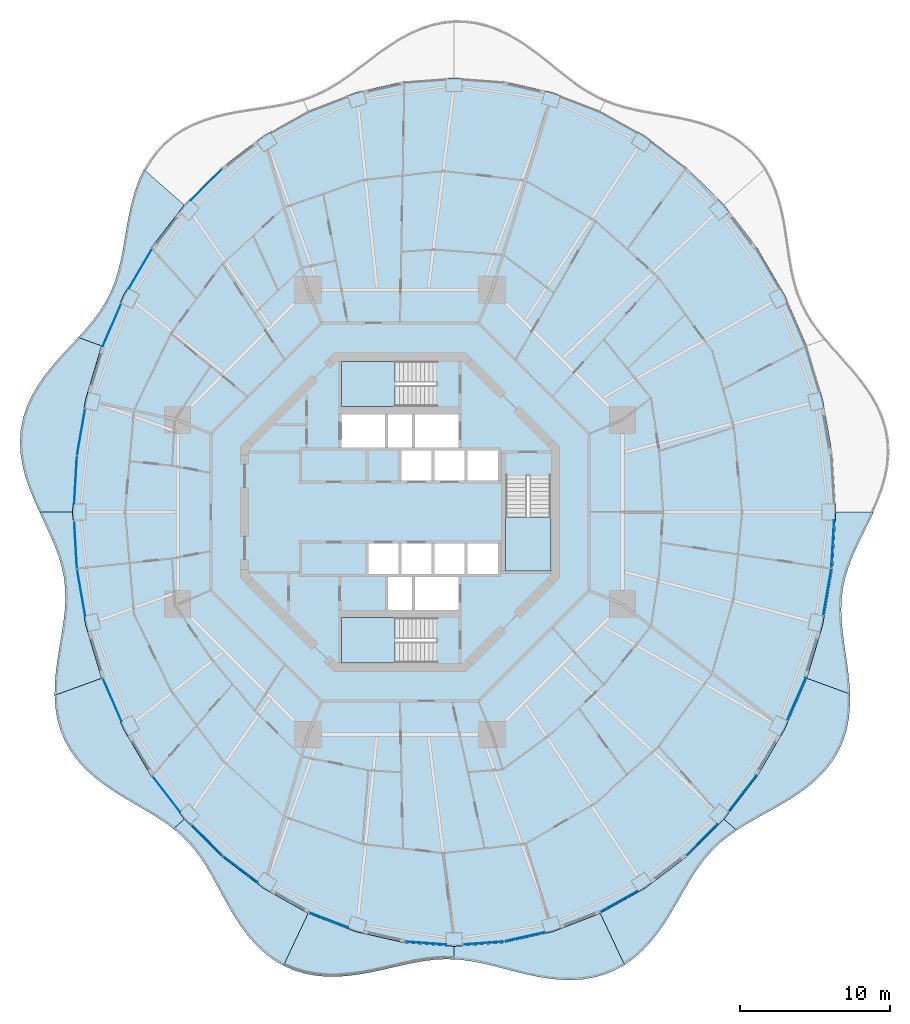
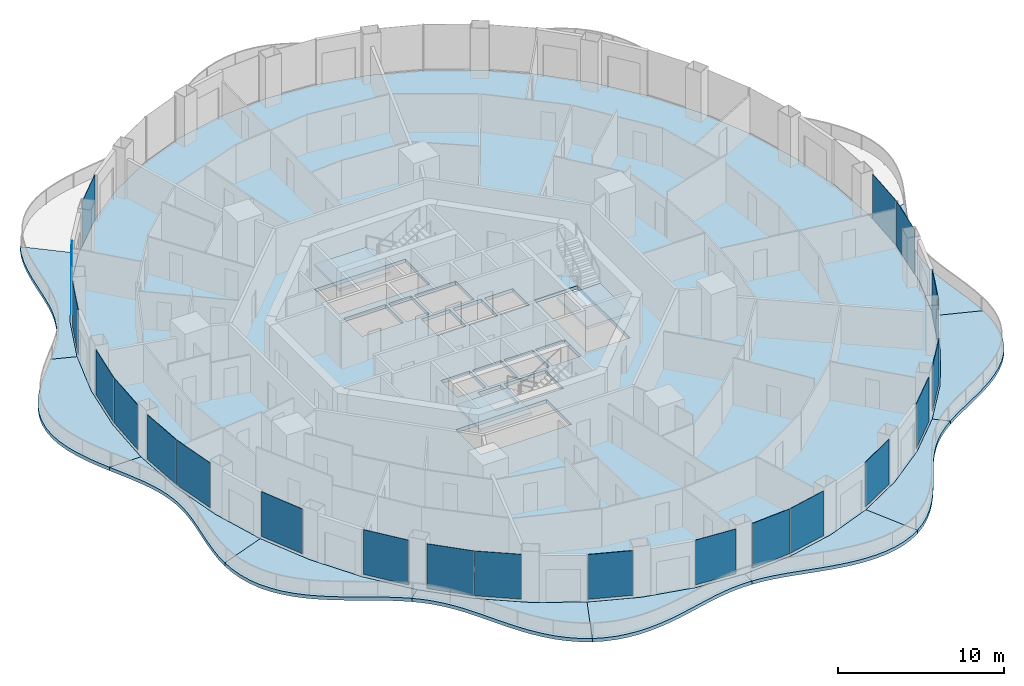
# One storey, part 9 of 19: 21 plates, 14 slabs, 24 elements without a shape of their own.
"""IFC4 building model written with IfcOpenShell, lengths in metres."""

from ifc_helpers import new_model, si_unit, direction, frame, origin, origin_2d, place, context, subcontext, project, spatial, polyline, rectangle, outline, extrude, material, layer, layer_set, type_object, element, aggregate, save


model = new_model("IFC4")

# Units and contexts
model_context = context("Model", 3, precision=1e-05, world=origin(), true_north=direction((0.0, 1.0)))
body_context = subcontext(model_context, "Body", "Model", "MODEL_VIEW")
ifc_project = project(units=[si_unit("LENGTHUNIT", "METRE"), si_unit("AREAUNIT", "SQUARE_METRE"), si_unit("VOLUMEUNIT", "CUBIC_METRE"), si_unit("PLANEANGLEUNIT", "RADIAN"), si_unit("MASSUNIT", "GRAM", prefix="KILO")], contexts=[model_context])

# Site, building, storey
site_placement = place(None, origin())
site = spatial("IfcSite", under=ifc_project, at=site_placement, CompositionType="ELEMENT")
building_placement = place(site_placement, origin())
building = spatial("IfcBuilding", under=site, at=building_placement, Name="Nagisa Residences", CompositionType="ELEMENT")
storey_placement = place(building_placement, frame((0.0, 0.0, 188.10009765625)))
storey = spatial("IfcBuildingStorey", under=building, at=storey_placement, Name="L47", CompositionType="ELEMENT", Elevation=188.10009765625)

# Slabs
ifc_material_1 = material(Name="Concrete C40/50", Category="concrete")
ifc_layer_1 = layer(ifc_material_1, 0.25)
ifc_layer_set_1 = layer_set([ifc_layer_1], Name="BALCONY SLAB 250")
slab_type_1 = type_object("IfcSlabType", Name="BALCONY SLAB 250", PredefinedType="FLOOR", material=ifc_layer_set_1)
slab_1_placement = place(storey_placement, frame((0.0, 0.0, -0.25)))
element("IfcSlab", 1, at=slab_1_placement, inside=storey, type_object=slab_type_1, Name="slab:L47:bal06", PredefinedType="FLOOR", context=body_context, shape_type="SweptSolid", body=[
    extrude(outline(polyline([(-17.037841796875, 22.7861328125), (-17.369873046875, 22.057861328125), (-17.639404296875, 21.294189453125), (-17.85546875, 20.50732421875), (-18.02978515625, 19.708984375), (-18.17578125, 18.9111328125), (-18.308349609375, 18.12353515625), (-18.442626953125, 17.355224609375), (-18.59326171875, 16.6123046875), (-18.7734375, 15.899169921875), (-18.994384765625, 15.21728515625), (-19.26416015625, 14.56591796875), (-19.587890625, 13.942138671875), (-19.96630859375, 13.341552734375), (-20.3974609375, 12.7578125), (-20.874267578125, 12.183837890625), (-21.387451171875, 11.612060546875), (-19.843505859375, 11.050048828125), (-18.37548828125, 14.4375), (-16.53125, 17.577880859375), (-14.3427734375, 20.417724609375), (-17.037841796875, 22.7861328125)])), origin(), (0.0, 0.0, 1.0), 0.25),
])
slab_2_placement = place(storey_placement, frame((0.0, 0.0, -0.25)))
element("IfcSlab", 2, at=slab_2_placement, inside=storey, type_object=slab_type_1, Name="slab:L47:bal07", PredefinedType="FLOOR", context=body_context, shape_type="SweptSolid", body=[
    extrude(outline(polyline([(-21.387451171875, 11.612060546875), (-21.941650390625, 11.016845703125), (-22.50390625, 10.40869140625), (-23.056640625, 9.78173828125), (-23.5810546875, 9.131103515625), (-24.05859375, 8.453857421875), (-24.47265625, 7.74951171875), (-24.80908203125, 7.01904296875), (-25.05712890625, 6.264892578125), (-25.2099609375, 5.491455078125), (-25.265380859375, 4.704345703125), (-25.225830078125, 3.908935546875), (-25.097900390625, 3.111572265625), (-24.892333984375, 2.31787109375), (-24.6240234375, 1.532470703125), (-24.3095703125, 0.759033203125), (-23.96826171875, 0.0), (-21.77490234375, 0.0), (-21.557861328125, 3.76904296875), (-20.910400390625, 7.473388671875), (-19.843505859375, 11.050048828125), (-21.387451171875, 11.612060546875)])), origin(), (0.0, 0.0, 1.0), 0.25),
])
slab_3_placement = place(storey_placement, frame((0.0, 0.0, -0.25)))
element("IfcSlab", 3, at=slab_3_placement, inside=storey, type_object=slab_type_1, Name="slab:L47:bal08", PredefinedType="FLOOR", context=body_context, shape_type="SweptSolid", body=[
    extrude(outline(polyline([(-23.96826171875, 0.0), (-23.619140625, -0.744384765625), (-23.281494140625, -1.474853515625), (-22.97265625, -2.194091796875), (-22.70751953125, -2.90576171875), (-22.4970703125, -3.61474609375), (-22.34912109375, -4.325927734375), (-22.266357421875, -5.044677734375), (-22.2470703125, -5.77587890625), (-22.284912109375, -6.52294921875), (-22.369873046875, -7.288330078125), (-22.48779296875, -8.0732421875), (-22.62255859375, -8.876220703125), (-22.755615234375, -9.6943359375), (-22.8681640625, -10.52294921875), (-22.94189453125, -11.35546875), (-22.959716796875, -12.184326171875), (-19.843505859375, -11.050048828125), (-20.910400390625, -7.473388671875), (-21.557861328125, -3.76904296875), (-21.77490234375, 0.0), (-23.96826171875, 0.0)])), origin(), (0.0, 0.0, 1.0), 0.25),
])
slab_4_placement = place(storey_placement, frame((0.0, 0.0, -0.25)))
element("IfcSlab", 4, at=slab_4_placement, inside=storey, type_object=slab_type_1, Name="slab:L47:bal09", PredefinedType="FLOOR", context=body_context, shape_type="SweptSolid", body=[
    extrude(outline(polyline([(-22.959716796875, -12.184326171875), (-22.91064453125, -12.975830078125), (-22.785400390625, -13.748046875), (-22.5771484375, -14.492919921875), (-22.283447265625, -15.20361328125), (-21.90478515625, -15.874755859375), (-21.445556640625, -16.50244140625), (-20.914306640625, -17.0849609375), (-20.321533203125, -17.62255859375), (-19.680908203125, -18.1181640625), (-19.0068359375, -18.576904296875), (-18.314697265625, -19.006103515625), (-17.6201171875, -19.414794921875), (-16.93701171875, -19.81298828125), (-16.277587890625, -20.211669921875), (-15.65185546875, -20.621826171875), (-15.06640625, -21.053466796875), (-14.3427734375, -20.417724609375), (-16.53125, -17.577880859375), (-18.37548828125, -14.4375), (-19.843505859375, -11.050048828125), (-22.959716796875, -12.184326171875)])), origin(), (0.0, 0.0, 1.0), 0.25),
])
slab_5_placement = place(storey_placement, frame((0.0, 0.0, -0.25)))
element("IfcSlab", 5, at=slab_5_placement, inside=storey, type_object=slab_type_1, Name="slab:L47:bal10", PredefinedType="FLOOR", context=body_context, shape_type="SweptSolid", body=[
    extrude(outline(polyline([(-15.06640625, -21.053466796875), (-14.549072265625, -21.4931640625), (-14.072265625, -21.966552734375), (-13.633056640625, -22.4775390625), (-13.226318359375, -23.027587890625), (-12.84521484375, -23.615966796875), (-12.48095703125, -24.238525390625), (-12.123291015625, -24.88916015625), (-11.761962890625, -25.559326171875), (-11.386474609375, -26.238037109375), (-10.987060546875, -26.9130859375), (-10.555419921875, -27.571044921875), (-10.084716796875, -28.1982421875), (-9.5703125, -28.78173828125), (-9.00927734375, -29.30908203125), (-8.40185546875, -29.76953125), (-7.75, -30.155029296875), (-6.110595703125, -26.677001953125), (-9.08740234375, -25.006591796875), (-11.847412109375, -22.907958984375), (-14.3427734375, -20.417724609375), (-15.06640625, -21.053466796875)])), origin(), (0.0, 0.0, 1.0), 0.25),
])
slab_6_placement = place(storey_placement, frame((0.0, 0.0, -0.25)))
element("IfcSlab", 6, at=slab_6_placement, inside=storey, type_object=slab_type_1, Name="slab:L47:bal11", PredefinedType="FLOOR", context=body_context, shape_type="SweptSolid", body=[
    extrude(outline(polyline([(-7.75, -30.155029296875), (-7.08349609375, -30.45068359375), (-6.384521484375, -30.669189453125), (-5.65966796875, -30.811279296875), (-4.916015625, -30.880615234375), (-4.16064453125, -30.88330078125), (-3.40087890625, -30.828125), (-2.6435546875, -30.725341796875), (-1.894287109375, -30.587890625), (-1.1572265625, -30.428955078125), (-0.435546875, -30.26171875), (0.26953125, -30.099853515625), (0.9580078125, -29.95556640625), (1.632080078125, -29.839599609375), (2.294189453125, -29.76025390625), (2.948486328125, -29.723876953125), (3.60009765625, -29.733154296875), (3.60009765625, -28.875), (0.287841796875, -28.6279296875), (-2.967529296875, -27.89111328125), (-6.110595703125, -26.677001953125), (-7.75, -30.155029296875)])), origin(), (0.0, 0.0, 1.0), 0.25),
])
slab_7_placement = place(storey_placement, frame((0.0, 0.0, -0.25)))
element("IfcSlab", 7, at=slab_7_placement, inside=storey, type_object=slab_type_1, Name="slab:L47:bal12", PredefinedType="FLOOR", context=body_context, shape_type="SweptSolid", body=[
    extrude(outline(polyline([(3.60009765625, -29.733154296875), (4.253173828125, -29.78857421875), (4.9130859375, -29.88671875), (5.58349609375, -30.02197265625), (6.267822265625, -30.185791015625), (6.96826171875, -30.36767578125), (7.685302734375, -30.554931640625), (8.41796875, -30.734375), (9.16357421875, -30.892333984375), (9.918212890625, -31.015625), (10.67626953125, -31.09130859375), (11.431884765625, -31.10888671875), (12.177734375, -31.05908203125), (12.906494140625, -30.93603515625), (13.611572265625, -30.735595703125), (14.2861328125, -30.45703125), (14.92529296875, -30.102783203125), (13.310546875, -26.677001953125), (10.16748046875, -27.89111328125), (6.912109375, -28.6279296875), (3.60009765625, -28.875), (3.60009765625, -29.733154296875)])), origin(), (0.0, 0.0, 1.0), 0.25),
])
slab_8_placement = place(storey_placement, frame((0.0, 0.0, -0.25)))
element("IfcSlab", 8, at=slab_8_placement, inside=storey, type_object=slab_type_1, Name="slab:L47:bal13", PredefinedType="FLOOR", context=body_context, shape_type="SweptSolid", body=[
    extrude(outline(polyline([(14.92529296875, -30.102783203125), (15.546630859375, -29.660400390625), (16.123291015625, -29.1494140625), (16.654541015625, -28.58056640625), (17.14306640625, -27.96630859375), (17.593017578125, -27.320068359375), (18.010498046875, -26.655517578125), (18.40380859375, -25.986083984375), (18.782470703125, -25.324462890625), (19.15625, -24.681884765625), (19.53564453125, -24.067138671875), (19.930419921875, -23.487060546875), (20.349365234375, -22.945556640625), (20.7998046875, -22.44384765625), (21.28662109375, -21.98046875), (21.812744140625, -21.552001953125), (22.37841796875, -21.15185546875), (21.542724609375, -20.417724609375), (19.04736328125, -22.907958984375), (16.28759765625, -25.006591796875), (13.310546875, -26.677001953125), (14.92529296875, -30.102783203125)])), origin(), (0.0, 0.0, 1.0), 0.25),
])
slab_9_placement = place(storey_placement, frame((0.0, 0.0, -0.25)))
element("IfcSlab", 9, at=slab_9_placement, inside=storey, type_object=slab_type_1, Name="slab:L47:bal14", PredefinedType="FLOOR", context=body_context, shape_type="SweptSolid", body=[
    extrude(outline(polyline([(22.37841796875, -21.15185546875), (23.0107421875, -20.754638671875), (23.677001953125, -20.3701171875), (24.36767578125, -19.9873046875), (25.071044921875, -19.59521484375), (25.773193359375, -19.1826171875), (26.459228515625, -18.74072265625), (27.114013671875, -18.26171875), (27.722412109375, -17.73974609375), (28.271240234375, -17.171875), (28.749267578125, -16.556884765625), (29.1484375, -15.896484375), (29.463623046875, -15.1943359375), (29.693359375, -14.455810546875), (29.840576171875, -13.68798828125), (29.91162109375, -12.8984375), (29.915771484375, -12.095458984375), (27.04345703125, -11.050048828125), (25.575439453125, -14.4375), (23.7314453125, -17.577880859375), (21.542724609375, -20.417724609375), (22.37841796875, -21.15185546875)])), origin(), (0.0, 0.0, 1.0), 0.25),
])
slab_10_placement = place(storey_placement, frame((0.0, 0.0, -0.25)))
element("IfcSlab", 10, at=slab_10_placement, inside=storey, type_object=slab_type_1, Name="slab:L47:bal15", PredefinedType="FLOOR", context=body_context, shape_type="SweptSolid", body=[
    extrude(outline(polyline([(29.915771484375, -12.095458984375), (29.864013671875, -11.261474609375), (29.771240234375, -10.429931640625), (29.656005859375, -9.607666015625), (29.53662109375, -8.80029296875), (29.431640625, -8.010986328125), (29.35791015625, -7.241943359375), (29.3291015625, -6.4921875), (29.3564453125, -5.760009765625), (29.446533203125, -5.041748046875), (29.6015625, -4.332763671875), (29.8193359375, -3.6279296875), (30.093017578125, -2.921875), (30.411865234375, -2.20947265625), (30.76123046875, -1.48681640625), (31.124267578125, -0.7509765625), (31.481689453125, 0.0), (28.97509765625, 0.0), (28.7578125, -3.76904296875), (28.1103515625, -7.473388671875), (27.04345703125, -11.050048828125), (29.915771484375, -12.095458984375)])), origin(), (0.0, 0.0, 1.0), 0.25),
])

# Curtain wall, plate
ifc_material_2 = material(Name="Concrete-coloured aluminium curtain wall system", Category="concrete")
ifc_layer_2 = layer(ifc_material_2, 0.159912109375)
ifc_layer_set_2 = layer_set([ifc_layer_2], Name="CW1 CURTAIN WALL")
curtain_wall_type = type_object("IfcCurtainWallType", Name="CW1 CURTAIN WALL", PredefinedType="NOTDEFINED", material=ifc_layer_set_2)
curtain_wall_1_placement = place(storey_placement, origin())
curtain_wall_1 = element("IfcCurtainWall", 11, at=curtain_wall_1_placement, inside=storey, type_object=curtain_wall_type, Name="cw:CW1:L47:17", PredefinedType="NOTDEFINED")
ifc_material_3 = material(Name="Clear laminated glass", Category="glass")
ifc_layer_3 = layer(ifc_material_3, 0.028076171875)
ifc_layer_set_3 = layer_set([ifc_layer_3], Name="CW1 GLASS PANEL")
plate_type = type_object("IfcPlateType", Name="CW1 GLASS PANEL", PredefinedType="CURTAIN_PANEL", material=ifc_layer_set_3)
plate_1_placement = place(storey_placement, frame((-12.865234375, 21.779296875, 0.14990234375), z_axis=(0.0, 0.0, 1.0), x_axis=(-0.707835924016, -0.706376885714, 0.0)))
plate_1 = element("IfcPlate", 12, at=plate_1_placement, type_object=plate_type, Name="CW1 panel", PredefinedType="CURTAIN_PANEL", context=body_context, shape_type="SweptSolid", body=[
    extrude(rectangle(XDim=2.91552734375, YDim=0.028076171875, at=origin_2d()), origin(), (0.0, 0.0, 1.0), 3.2900390625),
])
aggregate(curtain_wall_1, [plate_1])

curtain_wall_2_placement = place(storey_placement, origin())
curtain_wall_2 = element("IfcCurtainWall", 13, at=curtain_wall_2_placement, inside=storey, type_object=curtain_wall_type, Name="cw:CW1:L47:19", PredefinedType="NOTDEFINED")
plate_2_placement = place(storey_placement, frame((-17.26025390625, 16.178466796875, 0.14990234375), z_axis=(0.0, 0.0, 1.0), x_axis=(-0.506348567002, -0.862328898214, 0.0)))
plate_2 = element("IfcPlate", 14, at=plate_2_placement, type_object=plate_type, Name="CW1 panel", PredefinedType="CURTAIN_PANEL", context=body_context, shape_type="SweptSolid", body=[
    extrude(rectangle(XDim=3.031982421875, YDim=0.028076171875, at=origin_2d()), origin(), (0.0, 0.0, 1.0), 3.2900390625),
])
aggregate(curtain_wall_2, [plate_2])

curtain_wall_3_placement = place(storey_placement, origin())
curtain_wall_3 = element("IfcCurtainWall", 15, at=curtain_wall_3_placement, inside=storey, type_object=curtain_wall_type, Name="cw:CW1:L47:20", PredefinedType="NOTDEFINED")
plate_3_placement = place(storey_placement, frame((-19.1572265625, 12.43212890625, 0.14990234375), z_axis=(0.0, 0.0, 1.0), x_axis=(-0.397635934147, -0.917543276295, 0.0)))
plate_3 = element("IfcPlate", 16, at=plate_3_placement, type_object=plate_type, Name="CW1 panel", PredefinedType="CURTAIN_PANEL", context=body_context, shape_type="SweptSolid", body=[
    extrude(rectangle(XDim=3.08203125, YDim=0.028076171875, at=origin_2d()), origin(), (0.0, 0.0, 1.0), 3.2900390625),
])
aggregate(curtain_wall_3, [plate_3])

curtain_wall_4_placement = place(storey_placement, origin())
curtain_wall_4 = element("IfcCurtainWall", 17, at=curtain_wall_4_placement, inside=storey, type_object=curtain_wall_type, Name="cw:CW1:L47:22", PredefinedType="NOTDEFINED")
plate_4_placement = place(storey_placement, frame((-21.207763671875, 5.306884765625, 0.14990234375), z_axis=(0.0, 0.0, 1.0), x_axis=(-0.172190868898, -0.985063604377, 0.0)))
plate_4 = element("IfcPlate", 18, at=plate_4_placement, type_object=plate_type, Name="CW1 panel", PredefinedType="CURTAIN_PANEL", context=body_context, shape_type="SweptSolid", body=[
    extrude(rectangle(XDim=3.150634765625, YDim=0.028076171875, at=origin_2d()), origin(), (0.0, 0.0, 1.0), 3.2900390625),
])
aggregate(curtain_wall_4, [plate_4])

curtain_wall_5_placement = place(storey_placement, origin())
curtain_wall_5 = element("IfcCurtainWall", 19, at=curtain_wall_5_placement, inside=storey, type_object=curtain_wall_type, Name="cw:CW1:L47:23", PredefinedType="NOTDEFINED")
plate_5_placement = place(storey_placement, frame((-21.572509765625, 2.12451171875, 0.14990234375), z_axis=(0.0, 0.0, 1.0), x_axis=(-0.057503492216, -0.998345305184, 0.0)))
plate_5 = element("IfcPlate", 20, at=plate_5_placement, type_object=plate_type, Name="CW1 panel", PredefinedType="CURTAIN_PANEL", context=body_context, shape_type="SweptSolid", body=[
    extrude(rectangle(XDim=3.165283203125, YDim=0.028076171875, at=origin_2d()), origin(), (0.0, 0.0, 1.0), 3.2900390625),
])
aggregate(curtain_wall_5, [plate_5])

curtain_wall_6_placement = place(storey_placement, origin())
curtain_wall_6 = element("IfcCurtainWall", 21, at=curtain_wall_6_placement, inside=storey, type_object=curtain_wall_type, Name="cw:CW1:L47:24", PredefinedType="NOTDEFINED")
plate_6_placement = place(storey_placement, frame((-21.569091796875, -2.184326171875, 0.14990234375), z_axis=(0.0, 0.0, 1.0), x_axis=(0.057503492216, -0.998345305184, 0.0)))
plate_6 = element("IfcPlate", 22, at=plate_6_placement, type_object=plate_type, Name="CW1 panel", PredefinedType="CURTAIN_PANEL", context=body_context, shape_type="SweptSolid", body=[
    extrude(rectangle(XDim=3.165283203125, YDim=0.028076171875, at=origin_2d()), origin(), (0.0, 0.0, 1.0), 3.2900390625),
])
aggregate(curtain_wall_6, [plate_6])

curtain_wall_7_placement = place(storey_placement, origin())
curtain_wall_7 = element("IfcCurtainWall", 23, at=curtain_wall_7_placement, inside=storey, type_object=curtain_wall_type, Name="cw:CW1:L47:25", PredefinedType="NOTDEFINED")
plate_7_placement = place(storey_placement, frame((-21.197509765625, -5.365966796875, 0.14990234375), z_axis=(0.0, 0.0, 1.0), x_axis=(0.172190868898, -0.985063604377, 0.0)))
plate_7 = element("IfcPlate", 24, at=plate_7_placement, type_object=plate_type, Name="CW1 panel", PredefinedType="CURTAIN_PANEL", context=body_context, shape_type="SweptSolid", body=[
    extrude(rectangle(XDim=3.150634765625, YDim=0.028076171875, at=origin_2d()), origin(), (0.0, 0.0, 1.0), 3.2900390625),
])
aggregate(curtain_wall_7, [plate_7])

curtain_wall_8_placement = place(storey_placement, origin())
curtain_wall_8 = element("IfcCurtainWall", 25, at=curtain_wall_8_placement, inside=storey, type_object=curtain_wall_type, Name="cw:CW1:L47:27", PredefinedType="NOTDEFINED")
plate_8_placement = place(storey_placement, frame((-19.133544921875, -12.487060546875, 0.14990234375), z_axis=(0.0, 0.0, 1.0), x_axis=(0.397635934147, -0.917543276295, 0.0)))
plate_8 = element("IfcPlate", 26, at=plate_8_placement, type_object=plate_type, Name="CW1 panel", PredefinedType="CURTAIN_PANEL", context=body_context, shape_type="SweptSolid", body=[
    extrude(rectangle(XDim=3.08203125, YDim=0.028076171875, at=origin_2d()), origin(), (0.0, 0.0, 1.0), 3.2900390625),
])
aggregate(curtain_wall_8, [plate_8])

curtain_wall_9_placement = place(storey_placement, origin())
curtain_wall_9 = element("IfcCurtainWall", 27, at=curtain_wall_9_placement, inside=storey, type_object=curtain_wall_type, Name="cw:CW1:L47:29", PredefinedType="NOTDEFINED")
plate_9_placement = place(storey_placement, frame((-15.523193359375, -18.7548828125, 0.14990234375), z_axis=(0.0, 0.0, 1.0), x_axis=(0.610429828235, -0.792070340816, 0.0)))
plate_9 = element("IfcPlate", 28, at=plate_9_placement, type_object=plate_type, Name="CW1 panel", PredefinedType="CURTAIN_PANEL", context=body_context, shape_type="SweptSolid", body=[
    extrude(rectangle(XDim=2.97509765625, YDim=0.028076171875, at=origin_2d()), origin(), (0.0, 0.0, 1.0), 3.2900390625),
])
aggregate(curtain_wall_9, [plate_9])

curtain_wall_10_placement = place(storey_placement, origin())
curtain_wall_10 = element("IfcCurtainWall", 29, at=curtain_wall_10_placement, inside=storey, type_object=curtain_wall_type, Name="cw:CW1:L47:30", PredefinedType="NOTDEFINED")
plate_10_placement = place(storey_placement, frame((-12.82275390625, -21.82177734375, 0.14990234375), z_axis=(0.0, 0.0, 1.0), x_axis=(0.707835924016, -0.706376885714, 0.0)))
plate_10 = element("IfcPlate", 30, at=plate_10_placement, type_object=plate_type, Name="CW1 panel", PredefinedType="CURTAIN_PANEL", context=body_context, shape_type="SweptSolid", body=[
    extrude(rectangle(XDim=2.91552734375, YDim=0.028076171875, at=origin_2d()), origin(), (0.0, 0.0, 1.0), 3.2900390625),
])
aggregate(curtain_wall_10, [plate_10])

curtain_wall_11_placement = place(storey_placement, origin())
curtain_wall_11 = element("IfcCurtainWall", 31, at=curtain_wall_11_placement, inside=storey, type_object=curtain_wall_type, Name="cw:CW1:L47:31", PredefinedType="NOTDEFINED")
plate_11_placement = place(storey_placement, frame((-10.614013671875, -23.745361328125, 0.14990234375), z_axis=(0.0, 0.0, 1.0), x_axis=(0.79603132756, -0.605255421737, 0.0)))
plate_11 = element("IfcPlate", 32, at=plate_11_placement, type_object=plate_type, Name="CW1 panel", PredefinedType="CURTAIN_PANEL", context=body_context, shape_type="SweptSolid", body=[
    extrude(rectangle(XDim=2.85693359375, YDim=0.028076171875, at=origin_2d()), origin(), (0.0, 0.0, 1.0), 3.2900390625),
])
aggregate(curtain_wall_11, [plate_11])

curtain_wall_12_placement = place(storey_placement, origin())
curtain_wall_12 = element("IfcCurtainWall", 33, at=curtain_wall_12_placement, inside=storey, type_object=curtain_wall_type, Name="cw:CW1:L47:33", PredefinedType="NOTDEFINED")
plate_12_placement = place(storey_placement, frame((-4.73876953125, -27.12109375, 0.14990234375), z_axis=(0.0, 0.0, 1.0), x_axis=(0.932825759707, -0.360327770268, 0.0)))
plate_12 = element("IfcPlate", 34, at=plate_12_placement, type_object=plate_type, Name="CW1 panel", PredefinedType="CURTAIN_PANEL", context=body_context, shape_type="SweptSolid", body=[
    extrude(rectangle(XDim=2.75927734375, YDim=0.028076171875, at=origin_2d()), origin(), (0.0, 0.0, 1.0), 3.2900390625),
])
aggregate(curtain_wall_12, [plate_12])

curtain_wall_13_placement = place(storey_placement, origin())
curtain_wall_13 = element("IfcCurtainWall", 35, at=curtain_wall_13_placement, inside=storey, type_object=curtain_wall_type, Name="cw:CW1:L47:35", PredefinedType="NOTDEFINED")
plate_13_placement = place(storey_placement, frame((1.70556640625, -28.653564453125, 0.14990234375), z_axis=(0.0, 0.0, 1.0), x_axis=(0.997230168512, -0.074377355493, 0.0)))
plate_13 = element("IfcPlate", 36, at=plate_13_placement, type_object=plate_type, Name="CW1 panel", PredefinedType="CURTAIN_PANEL", context=body_context, shape_type="SweptSolid", body=[
    extrude(rectangle(XDim=2.711181640625, YDim=0.028076171875, at=origin_2d()), origin(), (0.0, 0.0, 1.0), 3.2900390625),
])
aggregate(curtain_wall_13, [plate_13])

curtain_wall_14_placement = place(storey_placement, origin())
curtain_wall_14 = element("IfcCurtainWall", 37, at=curtain_wall_14_placement, inside=storey, type_object=curtain_wall_type, Name="cw:CW1:L47:36", PredefinedType="NOTDEFINED")
plate_14_placement = place(storey_placement, frame((5.55419921875, -28.64892578125, 0.14990234375), z_axis=(0.0, 0.0, 1.0), x_axis=(0.997230168512, 0.074377355493, 0.0)))
plate_14 = element("IfcPlate", 38, at=plate_14_placement, type_object=plate_type, Name="CW1 panel", PredefinedType="CURTAIN_PANEL", context=body_context, shape_type="SweptSolid", body=[
    extrude(rectangle(XDim=2.711181640625, YDim=0.028076171875, at=origin_2d()), origin(), (0.0, 0.0, 1.0), 3.2900390625),
])
aggregate(curtain_wall_14, [plate_14])

curtain_wall_15_placement = place(storey_placement, origin())
curtain_wall_15 = element("IfcCurtainWall", 39, at=curtain_wall_15_placement, inside=storey, type_object=curtain_wall_type, Name="cw:CW1:L47:37", PredefinedType="NOTDEFINED")
plate_15_placement = place(storey_placement, frame((8.283203125, -28.235595703125, 0.14990234375), z_axis=(0.0, 0.0, 1.0), x_axis=(0.975327274089, 0.2207639201, 0.0)))
plate_15 = element("IfcPlate", 40, at=plate_15_placement, type_object=plate_type, Name="CW1 panel", PredefinedType="CURTAIN_PANEL", context=body_context, shape_type="SweptSolid", body=[
    extrude(rectangle(XDim=2.727783203125, YDim=0.028076171875, at=origin_2d()), origin(), (0.0, 0.0, 1.0), 3.2900390625),
])
aggregate(curtain_wall_15, [plate_15])

curtain_wall_16_placement = place(storey_placement, origin())
curtain_wall_16 = element("IfcCurtainWall", 41, at=curtain_wall_16_placement, inside=storey, type_object=curtain_wall_type, Name="cw:CW1:L47:39", PredefinedType="NOTDEFINED")
plate_16_placement = place(storey_placement, frame((14.546142578125, -25.891845703125, 0.14990234375), z_axis=(0.0, 0.0, 1.0), x_axis=(0.872072377523, 0.489376918501, 0.0)))
plate_16 = element("IfcPlate", 42, at=plate_16_placement, type_object=plate_type, Name="CW1 panel", PredefinedType="CURTAIN_PANEL", context=body_context, shape_type="SweptSolid", body=[
    extrude(rectangle(XDim=2.8037109375, YDim=0.028076171875, at=origin_2d()), origin(), (0.0, 0.0, 1.0), 3.2900390625),
])
aggregate(curtain_wall_16, [plate_16])

curtain_wall_17_placement = place(storey_placement, origin())
curtain_wall_17 = element("IfcCurtainWall", 43, at=curtain_wall_17_placement, inside=storey, type_object=curtain_wall_type, Name="cw:CW1:L47:41", PredefinedType="NOTDEFINED")
plate_17_placement = place(storey_placement, frame((20.065185546875, -21.779296875, 0.14990234375), z_axis=(0.0, 0.0, 1.0), x_axis=(0.707835924016, 0.706376885714, 0.0)))
plate_17 = element("IfcPlate", 44, at=plate_17_placement, type_object=plate_type, Name="CW1 panel", PredefinedType="CURTAIN_PANEL", context=body_context, shape_type="SweptSolid", body=[
    extrude(rectangle(XDim=2.91552734375, YDim=0.028076171875, at=origin_2d()), origin(), (0.0, 0.0, 1.0), 3.2900390625),
])
aggregate(curtain_wall_17, [plate_17])

curtain_wall_18_placement = place(storey_placement, origin())
curtain_wall_18 = element("IfcCurtainWall", 45, at=curtain_wall_18_placement, inside=storey, type_object=curtain_wall_type, Name="cw:CW1:L47:42", PredefinedType="NOTDEFINED")
plate_18_placement = place(storey_placement, frame((22.760009765625, -18.70751953125, 0.14990234375), z_axis=(0.0, 0.0, 1.0), x_axis=(0.610429828235, 0.792070340816, 0.0)))
plate_18 = element("IfcPlate", 46, at=plate_18_placement, type_object=plate_type, Name="CW1 panel", PredefinedType="CURTAIN_PANEL", context=body_context, shape_type="SweptSolid", body=[
    extrude(rectangle(XDim=2.97509765625, YDim=0.028076171875, at=origin_2d()), origin(), (0.0, 0.0, 1.0), 3.2900390625),
])
aggregate(curtain_wall_18, [plate_18])

curtain_wall_19_placement = place(storey_placement, origin())
curtain_wall_19 = element("IfcCurtainWall", 47, at=curtain_wall_19_placement, inside=storey, type_object=curtain_wall_type, Name="cw:CW1:L47:44", PredefinedType="NOTDEFINED")
plate_19_placement = place(storey_placement, frame((26.357177734375, -12.43212890625, 0.14990234375), z_axis=(0.0, 0.0, 1.0), x_axis=(0.397635934147, 0.917543276295, 0.0)))
plate_19 = element("IfcPlate", 48, at=plate_19_placement, type_object=plate_type, Name="CW1 panel", PredefinedType="CURTAIN_PANEL", context=body_context, shape_type="SweptSolid", body=[
    extrude(rectangle(XDim=3.08203125, YDim=0.028076171875, at=origin_2d()), origin(), (0.0, 0.0, 1.0), 3.2900390625),
])
aggregate(curtain_wall_19, [plate_19])

curtain_wall_20_placement = place(storey_placement, origin())
curtain_wall_20 = element("IfcCurtainWall", 49, at=curtain_wall_20_placement, inside=storey, type_object=curtain_wall_type, Name="cw:CW1:L47:46", PredefinedType="NOTDEFINED")
plate_20_placement = place(storey_placement, frame((28.407958984375, -5.306884765625, 0.14990234375), z_axis=(0.0, 0.0, 1.0), x_axis=(0.172190868898, 0.985063604377, 0.0)))
plate_20 = element("IfcPlate", 50, at=plate_20_placement, type_object=plate_type, Name="CW1 panel", PredefinedType="CURTAIN_PANEL", context=body_context, shape_type="SweptSolid", body=[
    extrude(rectangle(XDim=3.150634765625, YDim=0.028076171875, at=origin_2d()), origin(), (0.0, 0.0, 1.0), 3.2900390625),
])
aggregate(curtain_wall_20, [plate_20])

curtain_wall_21_placement = place(storey_placement, origin())
curtain_wall_21 = element("IfcCurtainWall", 51, at=curtain_wall_21_placement, inside=storey, type_object=curtain_wall_type, Name="cw:CW1:L47:47", PredefinedType="NOTDEFINED")
plate_21_placement = place(storey_placement, frame((28.7724609375, -2.12451171875, 0.14990234375), z_axis=(0.0, 0.0, 1.0), x_axis=(0.057503492216, 0.998345305184, 0.0)))
plate_21 = element("IfcPlate", 52, at=plate_21_placement, type_object=plate_type, Name="CW1 panel", PredefinedType="CURTAIN_PANEL", context=body_context, shape_type="SweptSolid", body=[
    extrude(rectangle(XDim=3.165283203125, YDim=0.028076171875, at=origin_2d()), origin(), (0.0, 0.0, 1.0), 3.2900390625),
])
aggregate(curtain_wall_21, [plate_21])

# Slab
ifc_material_4 = material(Name="Concrete C40", Category="concrete")
ifc_layer_4 = layer(ifc_material_4, 0.260009765625)
ifc_layer_set_4 = layer_set([ifc_layer_4], Name="Floor slab 260")
slab_type_2 = type_object("IfcSlabType", Name="Floor slab 260", PredefinedType="FLOOR", material=ifc_layer_set_4)
slab_11_placement = place(storey_placement, frame((0.0, 0.0, -0.260009765625)))
element("IfcSlab", 53, at=slab_11_placement, inside=storey, type_object=slab_type_2, Name="slab:L47:floor", PredefinedType="FLOOR", context=body_context, shape_type="SweptSolid", body=[
    extrude(outline(polyline([(28.97509765625, 0.0), (28.7578125, 3.76904296875), (28.1103515625, 7.473388671875), (27.04345703125, 11.050048828125), (25.575439453125, 14.4375), (23.7314453125, 17.577880859375), (21.542724609375, 20.417724609375), (19.04736328125, 22.907958984375), (16.28759765625, 25.006591796875), (13.310546875, 26.677001953125), (10.16748046875, 27.89111328125), (6.912109375, 28.6279296875), (3.60009765625, 28.875), (0.287841796875, 28.6279296875), (-2.967529296875, 27.89111328125), (-6.110595703125, 26.677001953125), (-9.08740234375, 25.006591796875), (-11.847412109375, 22.907958984375), (-14.3427734375, 20.417724609375), (-16.53125, 17.577880859375), (-18.37548828125, 14.4375), (-19.843505859375, 11.050048828125), (-20.910400390625, 7.473388671875), (-21.557861328125, 3.76904296875), (-21.77490234375, 0.0), (-21.557861328125, -3.76904296875), (-20.910400390625, -7.473388671875), (-19.843505859375, -11.050048828125), (-18.37548828125, -14.4375), (-16.53125, -17.577880859375), (-14.3427734375, -20.417724609375), (-11.847412109375, -22.907958984375), (-9.08740234375, -25.006591796875), (-6.110595703125, -26.677001953125), (-2.967529296875, -27.89111328125), (0.287841796875, -28.6279296875), (3.60009765625, -28.875), (6.912109375, -28.6279296875), (10.16748046875, -27.89111328125), (13.310546875, -26.677001953125), (16.28759765625, -25.006591796875), (19.04736328125, -22.907958984375), (21.542724609375, -20.417724609375), (23.7314453125, -17.577880859375), (25.575439453125, -14.4375), (27.04345703125, -11.050048828125), (28.1103515625, -7.473388671875), (28.7578125, -3.76904296875), (28.97509765625, 0.0)]), holes=[polyline([(2.10009765625, 2.10009765625), (2.10009765625, 4.10009765625), (0.10009765625, 4.10009765625), (0.10009765625, 2.10009765625), (2.10009765625, 2.10009765625)]), polyline([(4.300048828125, 2.10009765625), (4.300048828125, 4.10009765625), (2.300048828125, 4.10009765625), (2.300048828125, 2.10009765625), (4.300048828125, 2.10009765625)]), polyline([(6.5, 2.10009765625), (6.5, 4.10009765625), (4.5, 4.10009765625), (4.5, 2.10009765625), (6.5, 2.10009765625)]), polyline([(-0.10009765625, -4.10009765625), (-0.10009765625, -2.10009765625), (-2.10009765625, -2.10009765625), (-2.10009765625, -4.10009765625), (-0.10009765625, -4.10009765625)]), polyline([(2.10009765625, -4.10009765625), (2.10009765625, -2.10009765625), (0.10009765625, -2.10009765625), (0.10009765625, -4.10009765625), (2.10009765625, -4.10009765625)]), polyline([(4.300048828125, -4.10009765625), (4.300048828125, -2.10009765625), (2.300048828125, -2.10009765625), (2.300048828125, -4.10009765625), (4.300048828125, -4.10009765625)]), polyline([(6.5, -4.10009765625), (6.5, -2.10009765625), (4.5, -2.10009765625), (4.5, -4.10009765625), (6.5, -4.10009765625)]), polyline([(3.89990234375, 4.300048828125), (3.89990234375, 6.5), (1.0, 6.5), (1.0, 4.300048828125), (3.89990234375, 4.300048828125)]), polyline([(3.89990234375, -6.5), (3.89990234375, -4.300048828125), (1.0, -4.300048828125), (1.0, -6.5), (3.89990234375, -6.5)]), polyline([(-1.0, 4.300048828125), (-1.0, 6.5), (-3.89990234375, 6.5), (-3.89990234375, 4.300048828125), (-1.0, 4.300048828125)]), polyline([(0.800048828125, 4.300048828125), (0.800048828125, 6.5), (-0.800048828125, 6.5), (-0.800048828125, 4.300048828125), (0.800048828125, 4.300048828125)]), polyline([(0.800048828125, -6.5), (0.800048828125, -4.300048828125), (-0.800048828125, -4.300048828125), (-0.800048828125, -6.5), (0.800048828125, -6.5)]), polyline([(10.024658203125, -3.89990234375), (7.024658203125, -3.89990234375), (7.024658203125, 2.425048828125), (10.024658203125, 2.425048828125), (10.024658203125, -3.89990234375)]), polyline([(-3.89990234375, 7.024658203125), (-3.89990234375, 10.024658203125), (2.425048828125, 10.024658203125), (2.425048828125, 7.024658203125), (-3.89990234375, 7.024658203125)]), polyline([(-3.89990234375, -10.024658203125), (-3.89990234375, -7.024658203125), (2.425048828125, -7.024658203125), (2.425048828125, -10.024658203125), (-3.89990234375, -10.024658203125)])]), origin(), (0.0, 0.0, 1.0), 0.260009765625),
])

# Stair, slab
ifc_material_5 = material(Name="Concrete C60", Category="concrete")
stair_type = type_object("IfcStairType", Name="Exit stair", PredefinedType="HALF_TURN_STAIR", material=ifc_material_5)
stair_1_placement = place(storey_placement, origin())
stair_1 = element("IfcStair", 54, at=stair_1_placement, inside=storey, type_object=stair_type, Name="L47 Exit stair E", PredefinedType="HALF_TURN_STAIR")
ifc_material_6 = material(Name="Concrete C60", Category="concrete")
ifc_layer_5 = layer(ifc_material_6, 0.199951171875)
ifc_layer_set_5 = layer_set([ifc_layer_5], Name="Stair landing")
slab_type_3 = type_object("IfcSlabType", Name="Stair landing", PredefinedType="LANDING", material=ifc_layer_set_5)
slab_12_placement = place(storey_placement, frame((0.0, 0.0, 1.64990234375)))
slab_12 = element("IfcSlab", 55, at=slab_12_placement, type_object=slab_type_3, Name="ST-E landing 1", PredefinedType="LANDING", context=body_context, shape_type="SweptSolid", body=[
    extrude(outline(polyline([(7.024658203125, -0.324951171875), (7.024658203125, -3.89990234375), (10.024658203125, -3.89990234375), (10.024658203125, -0.324951171875), (7.024658203125, -0.324951171875)])), origin(), (0.0, 0.0, 1.0), 0.199951171875),
])
aggregate(stair_1, [slab_12])

stair_2_placement = place(storey_placement, origin())
stair_2 = element("IfcStair", 56, at=stair_2_placement, inside=storey, type_object=stair_type, Name="L47 Exit stair N", PredefinedType="HALF_TURN_STAIR")
slab_13_placement = place(storey_placement, frame((0.0, 0.0, 1.64990234375)))
slab_13 = element("IfcSlab", 57, at=slab_13_placement, type_object=slab_type_3, Name="ST-N landing 1", PredefinedType="LANDING", context=body_context, shape_type="SweptSolid", body=[
    extrude(outline(polyline([(-0.324951171875, 10.024658203125), (-3.89990234375, 10.024658203125), (-3.89990234375, 7.024658203125), (-0.324951171875, 7.024658203125), (-0.324951171875, 10.024658203125)])), origin(), (0.0, 0.0, 1.0), 0.199951171875),
])
aggregate(stair_2, [slab_13])

stair_3_placement = place(storey_placement, origin())
stair_3 = element("IfcStair", 58, at=stair_3_placement, inside=storey, type_object=stair_type, Name="L47 Exit stair S", PredefinedType="HALF_TURN_STAIR")
slab_14_placement = place(storey_placement, frame((0.0, 0.0, 1.64990234375)))
slab_14 = element("IfcSlab", 59, at=slab_14_placement, type_object=slab_type_3, Name="ST-S landing 1", PredefinedType="LANDING", context=body_context, shape_type="SweptSolid", body=[
    extrude(outline(polyline([(-0.324951171875, -7.024658203125), (-3.89990234375, -7.024658203125), (-3.89990234375, -10.024658203125), (-0.324951171875, -10.024658203125), (-0.324951171875, -7.024658203125)])), origin(), (0.0, 0.0, 1.0), 0.199951171875),
])
aggregate(stair_3, [slab_14])

save(model, "model.ifc")
